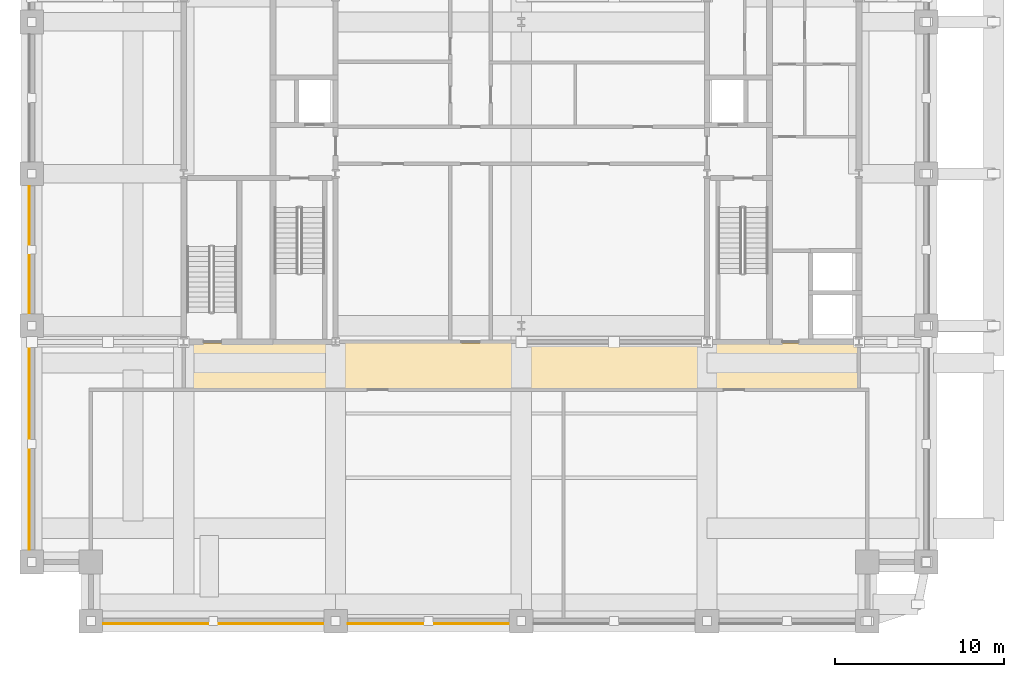
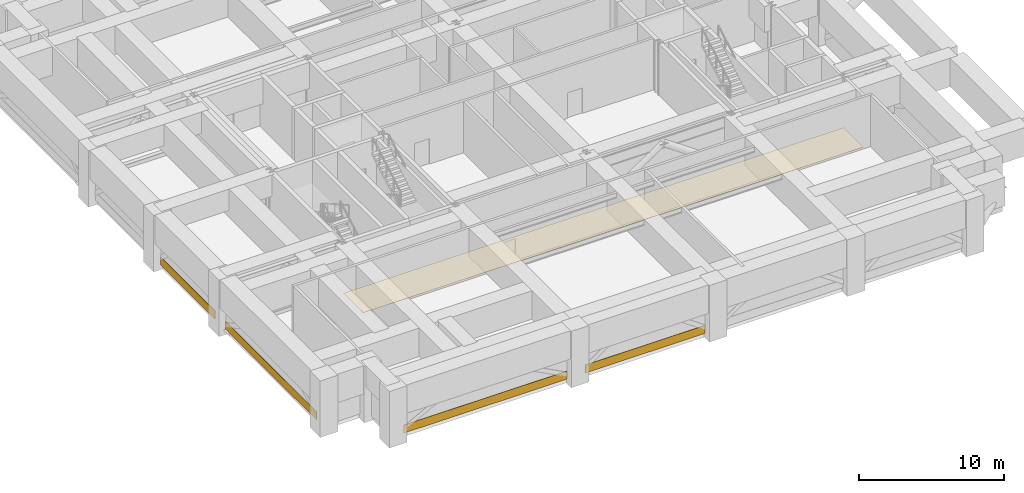
# One storey, part 7 of 10: 5 coverings.
"""IFC4 building model written with IfcOpenShell, lengths in metres."""

import ifcopenshell
import ifcopenshell.guid

model = None  # the IFC model being written
_history = None  # IfcOwnerHistory: only IFC2X3 demands one
_inside = {}  # id of a spatial element -> (the spatial element, [elements in it])
_under = {}  # id of a project, library or spatial element -> (it, [spatial elements below it])
_declared = {}  # id of a project -> (the project, [libraries it declares])
_typed = {}  # id of a type object -> (the type object, [elements of that type])
_made_of = {}  # id of a material, layer set ... -> (it, [elements and type objects made of it])


def new_model(schema):
    """Start an empty IFC model of exactly this schema.

    Asked for "IFC4X3", IfcOpenShell would pick the latest addendum, in which some entities
    have other attributes; the version numbers below select the first issue.
    IFC2X3 requires an IfcOwnerHistory on every rooted entity: one is made here for all.
    """
    global model, _history
    if schema == "IFC4X3":
        model = ifcopenshell.file(schema_version=(4, 3, 0, 0))
    else:
        model = ifcopenshell.file(schema=schema)
    _inside.clear()
    _under.clear()
    _declared.clear()
    _typed.clear()
    _made_of.clear()
    _history = None
    if model.schema == "IFC2X3":
        org = make("IfcOrganization", Name="unknown")
        user = make(
            "IfcPersonAndOrganization",
            ThePerson=make("IfcPerson", FamilyName="unknown"),
            TheOrganization=org,
        )
        app = make(
            "IfcApplication",
            ApplicationDeveloper=org,
            Version="unknown",
            ApplicationFullName="unknown",
            ApplicationIdentifier="unknown",
        )
        _history = make(
            "IfcOwnerHistory",
            OwningUser=user,
            OwningApplication=app,
            ChangeAction="ADDED",
            CreationDate=0,
        )
    return model


def make(cls, **values):
    """One entity of the class cls with the attributes given. An attribute that is None is left unset."""
    return model.create_entity(
        cls, **{name: value for name, value in values.items() if value is not None}
    )


def rooted(cls, **values):
    """An entity with a GlobalId (a new one), such as an element, a storey or a relation."""
    return make(cls, GlobalId=ifcopenshell.guid.new(), OwnerHistory=_history, **values)


def si_unit(unit_type, name, prefix=None):
    """IfcSIUnit, for example si_unit("LENGTHUNIT", "METRE", prefix="MILLI")."""
    return make("IfcSIUnit", UnitType=unit_type, Prefix=prefix, Name=name)


def assignment(units):
    """IfcUnitAssignment: the units of a project."""
    return None if units is None else make("IfcUnitAssignment", Units=units)


def point(xyz):
    """IfcCartesianPoint."""
    return None if xyz is None else make("IfcCartesianPoint", Coordinates=xyz)


def direction(xyz):
    """IfcDirection."""
    return None if xyz is None else make("IfcDirection", DirectionRatios=xyz)


def frame(location, z_axis=None, x_axis=None):
    """IfcAxis2Placement3D, a coordinate frame: its origin and axes. An axis left out is left unset."""
    return make(
        "IfcAxis2Placement3D",
        Location=point(location),
        Axis=direction(z_axis),
        RefDirection=direction(x_axis),
    )


def frame_2d(location, x_axis=None):
    """IfcAxis2Placement2D, a coordinate frame in the plane: its origin and x axis."""
    return make(
        "IfcAxis2Placement2D", Location=point(location), RefDirection=direction(x_axis)
    )


def origin():
    """The frame at (0, 0, 0) with its axes left unset."""
    return frame((0.0, 0.0, 0.0))


def place(relative_to, where):
    """IfcLocalPlacement: puts the frame where relative to a parent placement (None: the world)."""
    return make(
        "IfcLocalPlacement", PlacementRelTo=relative_to, RelativePlacement=where
    )


def context(
    kind, dimensions, precision=None, world=None, true_north=None, identifier=None
):
    """IfcGeometricRepresentationContext, for example the 3D "Model" context."""
    return make(
        "IfcGeometricRepresentationContext",
        ContextIdentifier=identifier,
        ContextType=kind,
        CoordinateSpaceDimension=dimensions,
        Precision=precision,
        WorldCoordinateSystem=world,
        TrueNorth=true_north,
    )


def subcontext(parent, identifier, kind, view, scale=None):
    """IfcGeometricRepresentationSubContext, for example "Body" below "Model"."""
    return make(
        "IfcGeometricRepresentationSubContext",
        ContextIdentifier=identifier,
        ContextType=kind,
        ParentContext=parent,
        TargetScale=scale,
        TargetView=view,
    )


def project(units=None, contexts=None):
    """IfcProject with its units and contexts."""
    return rooted(
        "IfcProject",
        Name="project",
        RepresentationContexts=contexts,
        UnitsInContext=assignment(units),
    )


def spatial(cls, under=None, at=None, **own):
    """A site, building, storey or space (cls), placed at a placement, below another one or the project."""
    s = rooted(cls, ObjectPlacement=at, **own)
    if under is not None:
        _under.setdefault(under.id(), (under, []))[1].append(s)
    return s


def polyline(points):
    """IfcPolyline through the points."""
    return make("IfcPolyline", Points=[point(p) for p in points])


def profile(cls, at=None, kind="AREA", **sizes):
    """A parametric profile (cls). Its sizes go by their IFC names, for example OverallWidth=200.0."""
    return make(cls, ProfileType=kind, Position=at, **sizes)


def rectangle(**sizes):
    """IfcRectangleProfileDef."""
    return profile("IfcRectangleProfileDef", **sizes)


def outline(outer, holes=None, kind="AREA"):
    """IfcArbitraryClosedProfileDef: a profile drawn as a closed curve; with holes, ...WithVoids."""
    if holes is None:
        return make("IfcArbitraryClosedProfileDef", ProfileType=kind, OuterCurve=outer)
    return make(
        "IfcArbitraryProfileDefWithVoids",
        ProfileType=kind,
        OuterCurve=outer,
        InnerCurves=holes,
    )


def extrude(swept, where, along, depth):
    """IfcExtrudedAreaSolid: the profile swept, set in the frame where, extruded along a direction by depth."""
    return make(
        "IfcExtrudedAreaSolid",
        SweptArea=swept,
        Position=where,
        ExtrudedDirection=direction(along),
        Depth=depth,
    )


def shape(context_of_items, identifier, shape_type, items):
    """IfcShapeRepresentation: the items that make up one representation, for example the "Body"."""
    return make(
        "IfcShapeRepresentation",
        ContextOfItems=context_of_items,
        RepresentationIdentifier=identifier,
        RepresentationType=shape_type,
        Items=items,
    )


def material(Name=None, Category=None):
    """IfcMaterial."""
    return make("IfcMaterial", Name=Name, Category=Category)


def layer(
    of_material, thickness, ventilated=None, Name=None, Category=None, Priority=None
):
    """IfcMaterialLayer: one layer of a wall or slab, of a material (None: an air gap)."""
    return make(
        "IfcMaterialLayer",
        Material=of_material,
        LayerThickness=thickness,
        IsVentilated=ventilated,
        Name=Name,
        Category=Category,
        Priority=Priority,
    )


def layer_set(layers, Name=None):
    """IfcMaterialLayerSet."""
    return make("IfcMaterialLayerSet", MaterialLayers=layers, LayerSetName=Name)


def made_of(thing, what):
    """Note that an element or type object is made of a material, layer set ...; save() writes the relation."""
    if what is not None:
        _made_of.setdefault(what.id(), (what, []))[1].append(thing)
    return thing


def type_object(cls, material=None, **own):
    """A type object (cls), such as IfcWallType, which elements share."""
    return made_of(rooted(cls, **own), material)


def element(
    cls,
    number,
    at=None,
    inside=None,
    cuts=None,
    type_object=None,
    material=None,
    context=None,
    identifier="Body",
    shape_type=None,
    held_by="IfcProductDefinitionShape",
    body=None,
    shapes=None,
    **own,
):
    """One element of the class cls, such as IfcWall. Its Tag is "e" and its number.

    at: its placement. inside: the storey or other place that contains it. cuts: it is an
    opening in that element (IfcRelVoidsElement). A single representation is given by context,
    identifier, shape_type and body (its items); several are given by shapes. held_by: the class
    of the entity that holds the representations. save() writes the other relations.
    """
    e = rooted(cls, Tag="e%d" % number, ObjectPlacement=at, **own)
    if body is not None:
        shapes = [shape(context, identifier, shape_type, body)]
    if shapes is not None:
        e.Representation = make(held_by, Representations=shapes)
    if inside is not None:
        _inside.setdefault(inside.id(), (inside, []))[1].append(e)
    if cuts is not None:
        rooted(
            "IfcRelVoidsElement", RelatingBuildingElement=cuts, RelatedOpeningElement=e
        )
    if type_object is not None:
        _typed.setdefault(type_object.id(), (type_object, []))[1].append(e)
    return made_of(e, material)


def aggregate(whole, parts):
    """IfcRelAggregates: a whole, such as a stair, and the parts it consists of."""
    return rooted("IfcRelAggregates", RelatingObject=whole, RelatedObjects=parts)


def save(model, path):
    """Write the relations noted so far, then the file.

    IfcRelAggregates (storeys below a building ...), IfcRelContainedInSpatialStructure (elements
    in a storey), IfcRelDefinesByType, IfcRelAssociatesMaterial and IfcRelDeclares: one each for
    every whole, place, type object, material and project.
    """
    for whole, parts in _under.values():
        aggregate(whole, parts)
    for where, things in _inside.values():
        rooted(
            "IfcRelContainedInSpatialStructure",
            RelatedElements=things,
            RelatingStructure=where,
        )
    for kind, things in _typed.values():
        rooted("IfcRelDefinesByType", RelatedObjects=things, RelatingType=kind)
    for what, things in _made_of.values():
        rooted("IfcRelAssociatesMaterial", RelatedObjects=things, RelatingMaterial=what)
    for by, libraries in _declared.values():
        rooted("IfcRelDeclares", RelatingContext=by, RelatedDefinitions=libraries)
    model.write(path)


model = new_model("IFC4")

# Units and contexts
model_context = context("Model", 3, precision=1e-05, world=origin(), true_north=direction((0.0, 1.0)))
body_context = subcontext(model_context, "Body", "Model", "MODEL_VIEW")
ifc_project = project(units=[si_unit("LENGTHUNIT", "METRE"), si_unit("AREAUNIT", "SQUARE_METRE"), si_unit("VOLUMEUNIT", "CUBIC_METRE"), si_unit("PLANEANGLEUNIT", "RADIAN"), si_unit("MASSUNIT", "GRAM", prefix="KILO")], contexts=[model_context])

# Site, building, storey
site_placement = place(None, origin())
site = spatial("IfcSite", under=ifc_project, at=site_placement, CompositionType="ELEMENT")
building_placement = place(site_placement, origin())
building = spatial("IfcBuilding", under=site, at=building_placement, Name="Zulmaris Gate Convention Tower", CompositionType="ELEMENT")
storey_placement = place(building_placement, frame((0.0, 0.0, 82.179931640625)))
storey = spatial("IfcBuildingStorey", under=building, at=storey_placement, Name="L20", CompositionType="ELEMENT", Elevation=82.179931640625)

# Coverings
ifc_material_1 = material(Name="Precast concrete C40/50", Category="concrete")
ifc_layer_1 = layer(ifc_material_1, 0.0400390625, Name="Precast concrete C40/50")
ifc_layer_set_1 = layer_set([ifc_layer_1], Name="Precast concrete C40/50")
covering_type_1 = type_object("IfcCoveringType", Name="CLAD-SPANDREL-PRECAST", PredefinedType="CLADDING", material=ifc_layer_set_1)
covering_1_placement = place(storey_placement, frame((-24.77001953125, -26.64990234375, 0.0), z_axis=(0.0, 0.0, 1.0), x_axis=(1.0, 0.0, 0.0)))
element("IfcCovering", 1, at=covering_1_placement, inside=storey, type_object=covering_type_1, Name="CLD-L20-S-0_0", PredefinedType="CLADDING", context=body_context, shape_type="SweptSolid", body=[
    extrude(rectangle(XDim=13.0400390625, YDim=0.0400390625, at=frame_2d((6.52001953125, 0.0))), origin(), (0.0, 0.0, 1.0), 0.679931640625),
])
covering_2_placement = place(storey_placement, frame((-10.27001953125, -26.64990234375, 0.0), z_axis=(0.0, 0.0, 1.0), x_axis=(1.0, 0.0, 0.0)))
element("IfcCovering", 2, at=covering_2_placement, inside=storey, type_object=covering_type_1, Name="CLD-L20-S-1_0", PredefinedType="CLADDING", context=body_context, shape_type="SweptSolid", body=[
    extrude(rectangle(XDim=9.5400390625, YDim=0.0400390625, at=frame_2d((4.77001953125, 0.0))), origin(), (0.0, 0.0, 1.0), 0.679931640625),
])
covering_3_placement = place(storey_placement, frame((-29.14990234375, -9.72998046875, 0.0), z_axis=(0.0, 0.0, 1.0), x_axis=(0.0, -1.0, 0.0)))
element("IfcCovering", 3, at=covering_3_placement, inside=storey, type_object=covering_type_1, Name="CLD-L20-W-0_0", PredefinedType="CLADDING", context=body_context, shape_type="SweptSolid", body=[
    extrude(rectangle(XDim=12.5400390625, YDim=0.0400390625, at=frame_2d((6.27001953125, 0.0))), origin(), (0.0, 0.0, 1.0), 0.679931640625),
])
covering_4_placement = place(storey_placement, frame((-29.14990234375, -0.72998046875, 0.0), z_axis=(0.0, 0.0, 1.0), x_axis=(0.0, -1.0, 0.0)))
element("IfcCovering", 4, at=covering_4_placement, inside=storey, type_object=covering_type_1, Name="CLD-L20-W-1_0", PredefinedType="CLADDING", context=body_context, shape_type="SweptSolid", body=[
    extrude(rectangle(XDim=7.5400390625, YDim=0.0400390625, at=frame_2d((3.77001953125, 0.0))), origin(), (0.0, 0.0, 1.0), 0.679931640625),
])
ifc_material_2 = material(Name="Woven Acoustic Wool Carpet Tile")
ifc_layer_2 = layer(ifc_material_2, 0.02001953125, Name="Woven Acoustic Wool Carpet Tile")
ifc_layer_set_2 = layer_set([ifc_layer_2], Name="Woven Acoustic Wool Carpet Tile")
covering_type_2 = type_object("IfcCoveringType", Name="FLR-CARPET-12", PredefinedType="FLOORING", material=ifc_layer_set_2)
covering_5_placement = place(storey_placement, origin())
element("IfcCovering", 5, at=covering_5_placement, inside=storey, type_object=covering_type_2, Name="FLR-L20-R29", PredefinedType="FLOORING", context=body_context, shape_type="SweptSolid", body=[
    extrude(outline(polyline([(-19.93994140625, -12.739990234375), (19.93994140625, -12.739990234375), (19.93994140625, -10.010009765625), (-19.93994140625, -10.010009765625), (-19.93994140625, -12.739990234375)])), origin(), (0.0, 0.0, 1.0), 0.02001953125),
])

save(model, "model.ifc")
